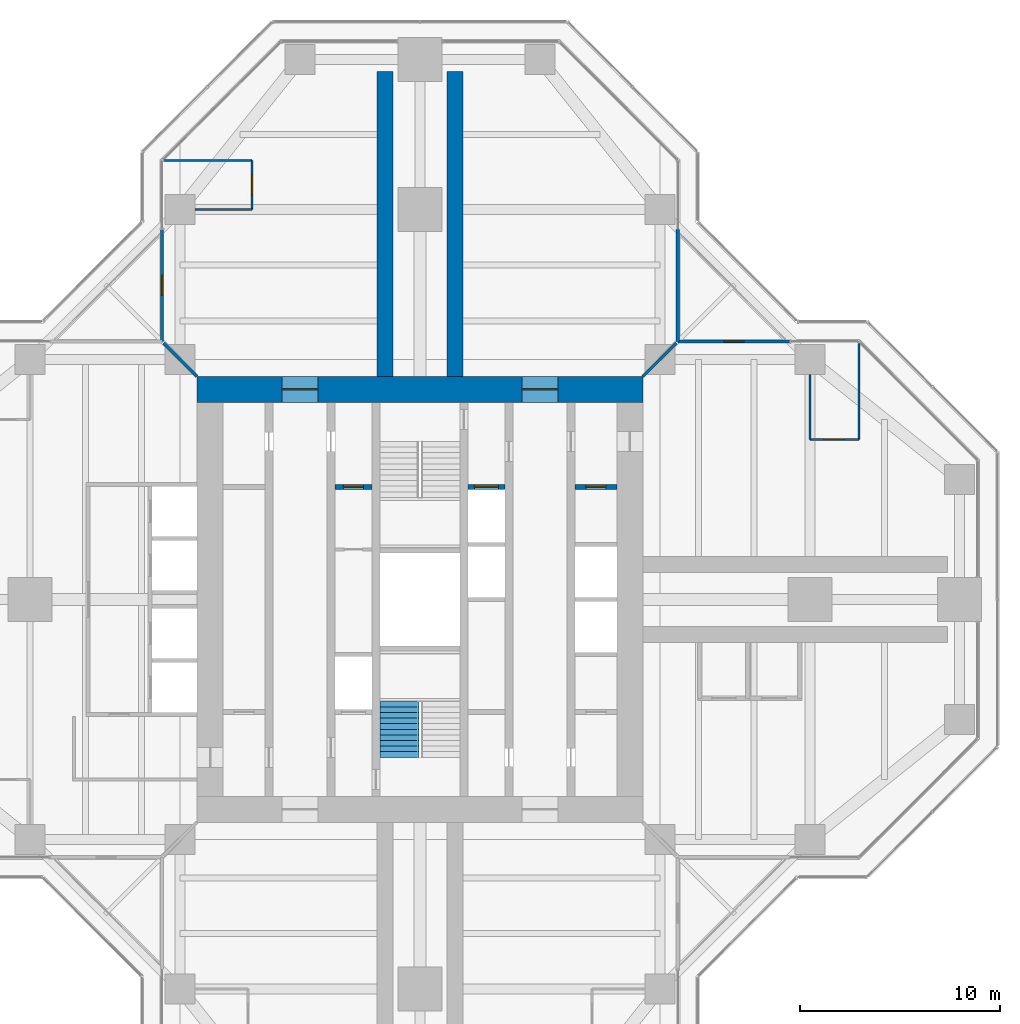
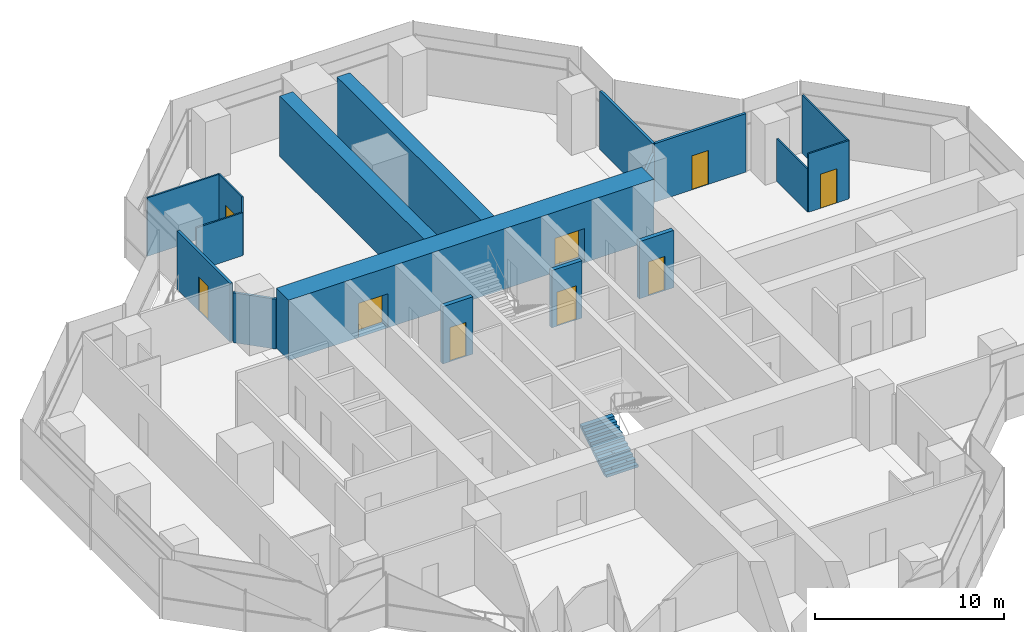
# One storey, part 15 of 17: 17 walls, 9 doors, 1 stair flight, 9 openings, 1 element without a shape of its own.
"""IFC4 building model written with IfcOpenShell, lengths in metres."""

from ifc_helpers import new_model, si_unit, direction, frame, frame_2d, origin, place, context, subcontext, project, spatial, polyline, rectangle, outline, extrude, material, layer, layer_set, type_object, element, fill, aggregate, save


model = new_model("IFC4")

# Units and contexts
model_context = context("Model", 3, precision=1e-05, world=origin(), true_north=direction((0.0, 1.0)))
body_context = subcontext(model_context, "Body", "Model", "MODEL_VIEW")
ifc_project = project(units=[si_unit("LENGTHUNIT", "METRE"), si_unit("AREAUNIT", "SQUARE_METRE"), si_unit("VOLUMEUNIT", "CUBIC_METRE"), si_unit("PLANEANGLEUNIT", "RADIAN"), si_unit("MASSUNIT", "GRAM", prefix="KILO")], contexts=[model_context])

# Site, building, storey
site_placement = place(None, origin())
site = spatial("IfcSite", under=ifc_project, at=site_placement, CompositionType="ELEMENT")
building_placement = place(site_placement, origin())
building = spatial("IfcBuilding", under=site, at=building_placement, Name="Mizan Broadcast Tower", CompositionType="ELEMENT")
storey_placement = place(building_placement, frame((0.0, 0.0, 247.800048828125)))
storey = spatial("IfcBuildingStorey", under=building, at=storey_placement, Name="L58", CompositionType="ELEMENT", Elevation=247.800048828125)

# Wall, openings, doors
ifc_material_1 = material(Name="Concrete C70/85", Category="concrete")
ifc_layer_1 = layer(ifc_material_1, 1.300048828125)
ifc_layer_set_1 = layer_set([ifc_layer_1], Name="Concrete C70/85")
wall_type_1 = type_object("IfcWallType", Name="CORE WALL 1300", PredefinedType="SHEAR", material=ifc_layer_set_1)
wall_1_placement = place(storey_placement, frame((-11.14990234375, 10.5, 0.0), z_axis=(0.0, 0.0, 1.0), x_axis=(1.0, 0.0, 0.0)))
wall_1 = element("IfcWall", 1, at=wall_1_placement, inside=storey, type_object=wall_type_1, Name="Core wall N L58", PredefinedType="SHEAR", context=body_context, shape_type="SweptSolid", body=[
    extrude(rectangle(XDim=22.2998046875, YDim=1.300048828125, at=frame_2d((11.14990234375, 0.0))), origin(), (0.0, 0.0, 1.0), 3.89990234375),
])
opening_1_placement = place(wall_1_placement, frame((4.25, 0.0, 0.0)))
opening_1 = element("IfcOpeningElement", 2, at=opening_1_placement, cuts=wall_1, Name="Opening D18F", PredefinedType="OPENING", context=body_context, shape_type="SweptSolid", body=[
    extrude(rectangle(XDim=1.800048828125, YDim=2.199951171875, at=frame_2d((0.89990234375, 1.10009765625))), frame((0.0, 0.659912109375, 0.0), z_axis=(0.0, -1.0, 0.0), x_axis=(1.0, 0.0, 0.0)), (0.0, 0.0, 1.0), 1.320068359375),
])
opening_2_placement = place(wall_1_placement, frame((16.25, 0.0, 0.0)))
opening_2 = element("IfcOpeningElement", 3, at=opening_2_placement, cuts=wall_1, Name="Opening D18F", PredefinedType="OPENING", context=body_context, shape_type="SweptSolid", body=[
    extrude(rectangle(XDim=1.800048828125, YDim=2.199951171875, at=frame_2d((0.89990234375, 1.10009765625))), frame((0.0, 0.659912109375, 0.0), z_axis=(0.0, -1.0, 0.0), x_axis=(1.0, 0.0, 0.0)), (0.0, 0.0, 1.0), 1.320068359375),
])
ifc_material_2 = material(Name="Steel door leaf in steel frame", Category="steel")
door_type_1 = type_object("IfcDoorType", Name="LOBBY DOUBLE DOOR 1800 FD90", OperationType="DOUBLE_DOOR_DOUBLE_SWING", PredefinedType="DOOR", material=ifc_material_2)
door_1_placement = place(opening_1_placement, origin())
door_1 = element("IfcDoor", 4, at=door_1_placement, inside=storey, type_object=door_type_1, Name="West lift lobby north door", OperationType="DOUBLE_DOOR_DOUBLE_SWING", OverallHeight=2.199951171875, OverallWidth=1.800048828125, PredefinedType="DOOR", context=body_context, shape_type="SweptSolid", body=[
    extrude(rectangle(XDim=1.800048828125, YDim=2.199951171875, at=frame_2d((0.89990234375, 1.10009765625))), frame((0.0, 0.02490234375, 0.0), z_axis=(0.0, -1.0, 0.0), x_axis=(1.0, 0.0, 0.0)), (0.0, 0.0, 1.0), 0.050048828125),
])
fill(opening_1, door_1)
door_2_placement = place(opening_2_placement, origin())
door_2 = element("IfcDoor", 5, at=door_2_placement, inside=storey, type_object=door_type_1, Name="East lift lobby north door", OperationType="DOUBLE_DOOR_DOUBLE_SWING", OverallHeight=2.199951171875, OverallWidth=1.800048828125, PredefinedType="DOOR", context=body_context, shape_type="SweptSolid", body=[
    extrude(rectangle(XDim=1.800048828125, YDim=2.199951171875, at=frame_2d((0.89990234375, 1.10009765625))), frame((0.0, 0.02490234375, 0.0), z_axis=(0.0, -1.0, 0.0), x_axis=(1.0, 0.0, 0.0)), (0.0, 0.0, 1.0), 0.050048828125),
])
fill(opening_2, door_2)

# Wall, opening, door
ifc_material_3 = material(Name="Aluminium framed glazed screen", Category="aluminium")
ifc_layer_2 = layer(ifc_material_3, 0.159912109375)
ifc_layer_set_2 = layer_set([ifc_layer_2], Name="Aluminium framed glazed screen")
wall_type_2 = type_object("IfcWallType", Name="GLAZED SCREEN WALL 160", PredefinedType="SOLIDWALL", material=ifc_layer_set_2)
wall_2_placement = place(storey_placement, frame((18.5, 12.89990234375, 0.0), z_axis=(0.0, 0.0, 1.0), x_axis=(-1.0, 0.0, 0.0)))
wall_2 = element("IfcWall", 6, at=wall_2_placement, inside=storey, type_object=wall_type_2, Name="Winter garden screen L58 E", PredefinedType="SOLIDWALL", context=body_context, shape_type="SweptSolid", body=[
    extrude(rectangle(XDim=5.60009765625, YDim=0.159912109375, at=frame_2d((2.800048828125, 0.0))), origin(), (0.0, 0.0, 1.0), 3.77001953125),
])
opening_3_placement = place(wall_2_placement, frame((2.300048828125, 0.0, 0.0)))
opening_3 = element("IfcOpeningElement", 7, at=opening_3_placement, cuts=wall_2, Name="Opening WGD", PredefinedType="OPENING", context=body_context, shape_type="SweptSolid", body=[
    extrude(rectangle(XDim=1.0, YDim=2.199951171875, at=frame_2d((0.5, 1.10009765625))), frame((0.0, 0.08984375, 0.0), z_axis=(0.0, -1.0, 0.0), x_axis=(1.0, 0.0, 0.0)), (0.0, 0.0, 1.0), 0.179931640625),
])
ifc_material_4 = material(Name="Aluminium framed glazed door", Category="aluminium")
door_type_2 = type_object("IfcDoorType", Name="WINTER GARDEN DOOR 1000 GLAZED", OperationType="SINGLE_SWING_LEFT", PredefinedType="DOOR", material=ifc_material_4)
door_3_placement = place(opening_3_placement, origin())
door_3 = element("IfcDoor", 8, at=door_3_placement, inside=storey, type_object=door_type_2, Name="Winter garden door L58 E", OperationType="SINGLE_SWING_RIGHT", OverallHeight=2.199951171875, OverallWidth=1.0, PredefinedType="DOOR", context=body_context, shape_type="SweptSolid", body=[
    extrude(rectangle(XDim=1.0, YDim=2.199951171875, at=frame_2d((0.5, 1.10009765625))), frame((0.0, 0.02490234375, 0.0), z_axis=(0.0, -1.0, 0.0), x_axis=(1.0, 0.0, 0.0)), (0.0, 0.0, 1.0), 0.050048828125),
])
fill(opening_3, door_3)

# Wall
wall_3_placement = place(storey_placement, frame((12.89990234375, 12.89990234375, 0.0), z_axis=(0.0, 0.0, 1.0), x_axis=(0.0, 1.0, 0.0)))
element("IfcWall", 9, at=wall_3_placement, inside=storey, type_object=wall_type_2, Name="Winter garden screen L58 N", PredefinedType="SOLIDWALL", context=body_context, shape_type="SweptSolid", body=[
    extrude(rectangle(XDim=5.60009765625, YDim=0.159912109375, at=frame_2d((2.800048828125, 0.0))), origin(), (0.0, 0.0, 1.0), 3.77001953125),
])

# Wall, opening, door
wall_4_placement = place(storey_placement, frame((-12.89990234375, 18.5, 0.0), z_axis=(0.0, 0.0, 1.0), x_axis=(0.0, -1.0, 0.0)))
wall_4 = element("IfcWall", 10, at=wall_4_placement, inside=storey, type_object=wall_type_2, Name="Winter garden screen L58 N", PredefinedType="SOLIDWALL", context=body_context, shape_type="SweptSolid", body=[
    extrude(rectangle(XDim=5.60009765625, YDim=0.159912109375, at=frame_2d((2.800048828125, 0.0))), origin(), (0.0, 0.0, 1.0), 3.77001953125),
])
opening_4_placement = place(wall_4_placement, frame((2.300048828125, 0.0, 0.0)))
opening_4 = element("IfcOpeningElement", 11, at=opening_4_placement, cuts=wall_4, Name="Opening WGD", PredefinedType="OPENING", context=body_context, shape_type="SweptSolid", body=[
    extrude(rectangle(XDim=1.0, YDim=2.199951171875, at=frame_2d((0.5, 1.10009765625))), frame((0.0, 0.08984375, 0.0), z_axis=(0.0, -1.0, 0.0), x_axis=(1.0, 0.0, 0.0)), (0.0, 0.0, 1.0), 0.179931640625),
])
door_4_placement = place(opening_4_placement, origin())
door_4 = element("IfcDoor", 12, at=door_4_placement, inside=storey, type_object=door_type_2, Name="Winter garden door L58 N", OperationType="SINGLE_SWING_RIGHT", OverallHeight=2.199951171875, OverallWidth=1.0, PredefinedType="DOOR", context=body_context, shape_type="SweptSolid", body=[
    extrude(rectangle(XDim=1.0, YDim=2.199951171875, at=frame_2d((0.5, 1.10009765625))), frame((0.0, 0.02490234375, 0.0), z_axis=(0.0, -1.0, 0.0), x_axis=(1.0, 0.0, 0.0)), (0.0, 0.0, 1.0), 0.050048828125),
])
fill(opening_4, door_4)

ifc_material_5 = material(Name="Concrete blockwork", Category="masonry")
ifc_layer_3 = layer(ifc_material_5, 0.25)
ifc_layer_set_3 = layer_set([ifc_layer_3], Name="Concrete blockwork")
wall_type_3 = type_object("IfcWallType", Name="LOBBY ENCLOSURE WALL 250", PredefinedType="SOLIDWALL", material=ifc_layer_set_3)
wall_5_placement = place(storey_placement, frame((-4.25, 5.625, 0.0), z_axis=(0.0, 0.0, 1.0), x_axis=(1.0, 0.0, 0.0)))
wall_5 = element("IfcWall", 13, at=wall_5_placement, inside=storey, type_object=wall_type_3, Name="Lobby enclosure wall CORE/BW2N", PredefinedType="SOLIDWALL", context=body_context, shape_type="SweptSolid", body=[
    extrude(rectangle(XDim=1.85009765625, YDim=0.25, at=frame_2d((0.925048828125, 0.0))), origin(), (0.0, 0.0, 1.0), 3.699951171875),
])
opening_5_placement = place(wall_5_placement, frame((0.425048828125, 0.0, 0.0)))
opening_5 = element("IfcOpeningElement", 14, at=opening_5_placement, cuts=wall_5, Name="Opening D10F", PredefinedType="OPENING", context=body_context, shape_type="SweptSolid", body=[
    extrude(rectangle(XDim=1.0, YDim=2.199951171875, at=frame_2d((0.5, 1.10009765625))), frame((0.0, 0.135009765625, 0.0), z_axis=(0.0, -1.0, 0.0), x_axis=(1.0, 0.0, 0.0)), (0.0, 0.0, 1.0), 0.27001953125),
])
ifc_material_6 = material(Name="Steel door leaf in steel frame", Category="steel")
door_type_3 = type_object("IfcDoorType", Name="FIRE DOOR 1000 FD90", OperationType="SINGLE_SWING_LEFT", PredefinedType="DOOR", material=ifc_material_6)
door_5_placement = place(opening_5_placement, origin())
door_5 = element("IfcDoor", 15, at=door_5_placement, inside=storey, type_object=door_type_3, Name="Accessible changing room door", OperationType="SINGLE_SWING_RIGHT", OverallHeight=2.199951171875, OverallWidth=1.0, PredefinedType="DOOR", context=body_context, shape_type="SweptSolid", body=[
    extrude(rectangle(XDim=1.0, YDim=2.199951171875, at=frame_2d((0.5, 1.10009765625))), frame((0.0, 0.02490234375, 0.0), z_axis=(0.0, -1.0, 0.0), x_axis=(1.0, 0.0, 0.0)), (0.0, 0.0, 1.0), 0.050048828125),
])
fill(opening_5, door_5)

wall_6_placement = place(storey_placement, frame((2.39990234375, 5.625, 0.0), z_axis=(0.0, 0.0, 1.0), x_axis=(1.0, 0.0, 0.0)))
wall_6 = element("IfcWall", 16, at=wall_6_placement, inside=storey, type_object=wall_type_3, Name="Lobby enclosure wall CORE/BE2N", PredefinedType="SOLIDWALL", context=body_context, shape_type="SweptSolid", body=[
    extrude(rectangle(XDim=1.85009765625, YDim=0.25, at=frame_2d((0.925048828125, 0.0))), origin(), (0.0, 0.0, 1.0), 3.699951171875),
])
opening_6_placement = place(wall_6_placement, frame((0.324951171875, 0.0, 0.0)))
opening_6 = element("IfcOpeningElement", 17, at=opening_6_placement, cuts=wall_6, Name="Opening LDF", PredefinedType="OPENING", context=body_context, shape_type="SweptSolid", body=[
    extrude(rectangle(XDim=1.199951171875, YDim=2.199951171875, at=frame_2d((0.60009765625, 1.10009765625))), frame((0.0, 0.135009765625, 0.0), z_axis=(0.0, -1.0, 0.0), x_axis=(1.0, 0.0, 0.0)), (0.0, 0.0, 1.0), 0.27001953125),
])
ifc_material_7 = material(Name="Steel door leaf in steel frame", Category="steel")
door_type_4 = type_object("IfcDoorType", Name="FIREFIGHTING LIFT LANDING DOOR 1200", OperationType="SLIDING_TO_LEFT", PredefinedType="DOOR", material=ifc_material_7)
door_6_placement = place(opening_6_placement, origin())
door_6 = element("IfcDoor", 18, at=door_6_placement, inside=storey, type_object=door_type_4, Name="Landing door FF2", OperationType="SLIDING_TO_LEFT", OverallHeight=2.199951171875, OverallWidth=1.199951171875, PredefinedType="DOOR", context=body_context, shape_type="SweptSolid", body=[
    extrude(rectangle(XDim=1.199951171875, YDim=2.199951171875, at=frame_2d((0.60009765625, 1.10009765625))), frame((0.0, 0.02490234375, 0.0), z_axis=(0.0, -1.0, 0.0), x_axis=(1.0, 0.0, 0.0)), (0.0, 0.0, 1.0), 0.050048828125),
])
fill(opening_6, door_6)

wall_7_placement = place(storey_placement, frame((7.75, 5.625, 0.0), z_axis=(0.0, 0.0, 1.0), x_axis=(1.0, 0.0, 0.0)))
wall_7 = element("IfcWall", 19, at=wall_7_placement, inside=storey, type_object=wall_type_3, Name="Lobby enclosure wall CORE/BE1N", PredefinedType="SOLIDWALL", context=body_context, shape_type="SweptSolid", body=[
    extrude(rectangle(XDim=2.10009765625, YDim=0.25, at=frame_2d((1.050048828125, 0.0))), origin(), (0.0, 0.0, 1.0), 3.699951171875),
])
opening_7_placement = place(wall_7_placement, frame((0.550048828125, 0.0, 0.0)))
opening_7 = element("IfcOpeningElement", 20, at=opening_7_placement, cuts=wall_7, Name="Opening D10F", PredefinedType="OPENING", context=body_context, shape_type="SweptSolid", body=[
    extrude(rectangle(XDim=1.0, YDim=2.199951171875, at=frame_2d((0.5, 1.10009765625))), frame((0.0, 0.135009765625, 0.0), z_axis=(0.0, -1.0, 0.0), x_axis=(1.0, 0.0, 0.0)), (0.0, 0.0, 1.0), 0.27001953125),
])
door_7_placement = place(opening_7_placement, origin())
door_7 = element("IfcDoor", 21, at=door_7_placement, inside=storey, type_object=door_type_3, Name="Comms room door", OperationType="SINGLE_SWING_LEFT", OverallHeight=2.199951171875, OverallWidth=1.0, PredefinedType="DOOR", context=body_context, shape_type="SweptSolid", body=[
    extrude(rectangle(XDim=1.0, YDim=2.199951171875, at=frame_2d((0.5, 1.10009765625))), frame((0.0, 0.02490234375, 0.0), z_axis=(0.0, -1.0, 0.0), x_axis=(1.0, 0.0, 0.0)), (0.0, 0.0, 1.0), 0.050048828125),
])
fill(opening_7, door_7)

# Walls
ifc_material_8 = material(Name="Gypsum board on steel studs", Category="steel")
ifc_layer_4 = layer(ifc_material_8, 0.14990234375)
ifc_layer_set_4 = layer_set([ifc_layer_4], Name="Gypsum board on steel studs")
wall_type_4 = type_object("IfcWallType", Name="PARTITION 150", PredefinedType="PARTITIONING", material=ifc_layer_set_4)
for number, where, z_axis, x_axis, name in (
    (22, (11.14990234375, 11.14990234375, 0.0), (0.0, 0.0, 1.0), (0.707106781187, 0.707106781187, 0.0), "Partition PT/DGEN"),
    (23, (-11.14990234375, 11.14990234375, 0.0), (0.0, 0.0, 1.0), (-0.707106781187, 0.707106781187, 0.0), "Partition PT/DGWN"),
):
    element("IfcWall", number, at=place(storey_placement, frame(where, z_axis=z_axis, x_axis=x_axis)), inside=storey, type_object=wall_type_4, Name=name, PredefinedType="PARTITIONING", context=body_context, shape_type="SweptSolid", body=[
        extrude(rectangle(XDim=2.362060546875, YDim=0.14990234375, at=frame_2d((1.18115234375, 0.0))), origin(), (0.0, 0.0, 1.0), 3.219970703125),
    ])

# Wall, opening, door
ifc_material_9 = material(Name="Glazed aluminium partition on aluminium track", Category="aluminium")
ifc_layer_5 = layer(ifc_material_9, 0.10009765625)
ifc_layer_set_5 = layer_set([ifc_layer_5], Name="Glazed aluminium partition on aluminium track")
wall_type_5 = type_object("IfcWallType", Name="PARTITION GLAZED OFFICE FRONT 100", PredefinedType="PARTITIONING", material=ifc_layer_set_5)
wall_8_placement = place(storey_placement, frame((19.5, 8.0, 0.0), z_axis=(0.0, 0.0, 1.0), x_axis=(1.0, 0.0, 0.0)))
wall_8 = element("IfcWall", 24, at=wall_8_placement, inside=storey, type_object=wall_type_5, Name="Glazed office front PT/ECP0", PredefinedType="PARTITIONING", context=body_context, shape_type="SweptSolid", body=[
    extrude(rectangle(XDim=2.458984375, YDim=0.10009765625, at=frame_2d((1.2294921875, 0.0))), origin(), (0.0, 0.0, 1.0), 3.77001953125),
])
opening_8_placement = place(wall_8_placement, frame((0.7294921875, 0.0, 0.0)))
opening_8 = element("IfcOpeningElement", 25, at=opening_8_placement, cuts=wall_8, Name="Opening D10O", PredefinedType="OPENING", context=body_context, shape_type="SweptSolid", body=[
    extrude(rectangle(XDim=1.0, YDim=2.199951171875, at=frame_2d((0.5, 1.10009765625))), frame((0.0, 0.06005859375, 0.0), z_axis=(0.0, -1.0, 0.0), x_axis=(1.0, 0.0, 0.0)), (0.0, 0.0, 1.0), 0.1201171875),
])
ifc_material_10 = material(Name="Timber door leaf in aluminium frame", Category="wood")
door_type_5 = type_object("IfcDoorType", Name="OFFICE DOOR 1000 GLAZED", OperationType="SINGLE_SWING_LEFT", PredefinedType="DOOR", material=ifc_material_10)
door_8_placement = place(opening_8_placement, origin())
door_8 = element("IfcDoor", 26, at=door_8_placement, inside=storey, type_object=door_type_5, Name="Correspondent's office door", OperationType="SINGLE_SWING_LEFT", OverallHeight=2.199951171875, OverallWidth=1.0, PredefinedType="DOOR", context=body_context, shape_type="SweptSolid", body=[
    extrude(rectangle(XDim=1.0, YDim=2.199951171875, at=frame_2d((0.5, 1.10009765625))), frame((0.0, 0.02490234375, 0.0), z_axis=(0.0, -1.0, 0.0), x_axis=(1.0, 0.0, 0.0)), (0.0, 0.0, 1.0), 0.050048828125),
])
fill(opening_8, door_8)

# Walls
wall_9_placement = place(storey_placement, frame((19.5, 8.0, 0.0), z_axis=(0.0, 0.0, 1.0), x_axis=(0.0, 1.0, 0.0)))
element("IfcWall", 27, at=wall_9_placement, inside=storey, type_object=wall_type_5, Name="Glazed office front PT/EQP1950", PredefinedType="PARTITIONING", context=body_context, shape_type="SweptSolid", body=[
    extrude(rectangle(XDim=3.25, YDim=0.10009765625, at=frame_2d((1.625, 0.0))), origin(), (0.0, 0.0, 1.0), 2.77001953125),
])
wall_10_placement = place(storey_placement, frame((21.958984375, 8.0, 0.0), z_axis=(0.0, 0.0, 1.0), x_axis=(0.0, 1.0, 0.0)))
element("IfcWall", 28, at=wall_10_placement, inside=storey, type_object=wall_type_5, Name="Glazed office front PT/EQP2196", PredefinedType="PARTITIONING", context=body_context, shape_type="SweptSolid", body=[
    extrude(rectangle(XDim=4.820068359375, YDim=0.10009765625, at=frame_2d((2.41015625, 0.0))), origin(), (0.0, 0.0, 1.0), 3.77001953125),
])

# Wall, opening, door
wall_11_placement = place(storey_placement, frame((-8.39990234375, 19.5, 0.0), z_axis=(0.0, 0.0, 1.0), x_axis=(0.0, 1.0, 0.0)))
wall_11 = element("IfcWall", 29, at=wall_11_placement, inside=storey, type_object=wall_type_5, Name="Glazed office front PT/NCP0", PredefinedType="PARTITIONING", context=body_context, shape_type="SweptSolid", body=[
    extrude(rectangle(XDim=2.458984375, YDim=0.10009765625, at=frame_2d((1.2294921875, 0.0))), origin(), (0.0, 0.0, 1.0), 3.77001953125),
])
opening_9_placement = place(wall_11_placement, frame((0.7294921875, 0.0, 0.0)))
opening_9 = element("IfcOpeningElement", 30, at=opening_9_placement, cuts=wall_11, Name="Opening D10O", PredefinedType="OPENING", context=body_context, shape_type="SweptSolid", body=[
    extrude(rectangle(XDim=1.0, YDim=2.199951171875, at=frame_2d((0.5, 1.10009765625))), frame((0.0, 0.06005859375, 0.0), z_axis=(0.0, -1.0, 0.0), x_axis=(1.0, 0.0, 0.0)), (0.0, 0.0, 1.0), 0.1201171875),
])
door_9_placement = place(opening_9_placement, origin())
door_9 = element("IfcDoor", 31, at=door_9_placement, inside=storey, type_object=door_type_5, Name="Bureau chief's office door", OperationType="SINGLE_SWING_LEFT", OverallHeight=2.199951171875, OverallWidth=1.0, PredefinedType="DOOR", context=body_context, shape_type="SweptSolid", body=[
    extrude(rectangle(XDim=1.0, YDim=2.199951171875, at=frame_2d((0.5, 1.10009765625))), frame((0.0, 0.02490234375, 0.0), z_axis=(0.0, -1.0, 0.0), x_axis=(1.0, 0.0, 0.0)), (0.0, 0.0, 1.0), 0.050048828125),
])
fill(opening_9, door_9)

# Walls
wall_12_placement = place(storey_placement, frame((-8.39990234375, 19.5, 0.0), z_axis=(0.0, 0.0, 1.0), x_axis=(-1.0, 0.0, 0.0)))
element("IfcWall", 32, at=wall_12_placement, inside=storey, type_object=wall_type_5, Name="Glazed office front PT/NQP1950", PredefinedType="PARTITIONING", context=body_context, shape_type="SweptSolid", body=[
    extrude(rectangle(XDim=2.85009765625, YDim=0.10009765625, at=frame_2d((1.425048828125, 0.0))), origin(), (0.0, 0.0, 1.0), 2.77001953125),
])
wall_13_placement = place(storey_placement, frame((-8.39990234375, 21.958984375, 0.0), z_axis=(0.0, 0.0, 1.0), x_axis=(-1.0, 0.0, 0.0)))
element("IfcWall", 33, at=wall_13_placement, inside=storey, type_object=wall_type_5, Name="Glazed office front PT/NQP2196", PredefinedType="PARTITIONING", context=body_context, shape_type="SweptSolid", body=[
    extrude(rectangle(XDim=4.420166015625, YDim=0.10009765625, at=frame_2d((2.2099609375, 0.0))), origin(), (0.0, 0.0, 1.0), 3.77001953125),
])
ifc_material_11 = material(Name="Concrete C70/85", Category="concrete")
ifc_layer_6 = layer(ifc_material_11, 0.800048828125)
ifc_layer_set_6 = layer_set([ifc_layer_6], Name="Concrete C70/85")
wall_type_6 = type_object("IfcWallType", Name="SPINE WALL 800", PredefinedType="SHEAR", material=ifc_layer_set_6)
for number, where, z_axis, x_axis, name in (
    (34, (1.75, 11.14990234375, 0.0), (0.0, 0.0, 1.0), (0.0, 1.0, 0.0), "Spine wall NR L58"),
    (35, (-1.75, 11.14990234375, 0.0), (0.0, 0.0, 1.0), (0.0, 1.0, 0.0), "Spine wall NL L58"),
):
    element("IfcWall", number, at=place(storey_placement, frame(where, z_axis=z_axis, x_axis=x_axis)), inside=storey, type_object=wall_type_6, Name=name, PredefinedType="SHEAR", context=body_context, shape_type="SweptSolid", body=[
        extrude(rectangle(XDim=15.25, YDim=0.800048828125, at=frame_2d((7.625, 0.0))), origin(), (0.0, 0.0, 1.0), 3.89990234375),
    ])

# Stair, stair flight
ifc_material_12 = material(Name="Concrete C40/50", Category="concrete")
stair_type = type_object("IfcStairType", Name="EXIT STAIR", PredefinedType="HALF_TURN_STAIR", material=ifc_material_12)
stair_placement = place(storey_placement, origin())
stair = element("IfcStair", 36, at=stair_placement, inside=storey, type_object=stair_type, Name="Stair A L58", PredefinedType="HALF_TURN_STAIR")
ifc_material_13 = material(Name="Concrete C40/50", Category="concrete")
stair_flight_type = type_object("IfcStairFlightType", Name="EXIT STAIR FLIGHT", PredefinedType="STRAIGHT", material=ifc_material_13)
stair_flight_placement = place(storey_placement, frame((-1.02490234375, -7.89990234375, 0.0), z_axis=(0.0, 0.0, 1.0), x_axis=(0.0, 1.0, 0.0)))
stair_flight = element("IfcStairFlight", 37, at=stair_flight_placement, type_object=stair_flight_type, Name="A flight 1", NumberOfRisers=11, NumberOfTreads=10, PredefinedType="STRAIGHT", RiserHeight=0.177272727, TreadLength=0.28, context=body_context, shape_type="SweptSolid", body=[
    extrude(outline(polyline([(0.0, 0.0), (0.0, 0.17724609375), (0.280029296875, 0.17724609375), (0.280029296875, 0.3544921875), (0.56005859375, 0.3544921875), (0.56005859375, 0.53173828125), (0.840087890625, 0.53173828125), (0.840087890625, 0.708984375), (1.1201171875, 0.708984375), (1.1201171875, 0.886474609375), (1.39990234375, 0.886474609375), (1.39990234375, 1.063720703125), (1.679931640625, 1.063720703125), (1.679931640625, 1.240966796875), (1.9599609375, 1.240966796875), (1.9599609375, 1.418212890625), (2.239990234375, 1.418212890625), (2.239990234375, 1.595458984375), (2.52001953125, 1.595458984375), (2.52001953125, 1.772705078125), (2.800048828125, 1.772705078125), (2.800048828125, 1.949951171875), (2.800048828125, 1.59521484375), (0.2802734375, 0.0), (0.0, 0.0)])), frame((0.0, 0.97509765625, 0.0), z_axis=(0.0, -1.0, 0.0), x_axis=(1.0, 0.0, 0.0)), (0.0, 0.0, 1.0), 0.4873046875),
    extrude(outline(polyline([(0.0, 0.0), (0.0, 0.17724609375), (0.280029296875, 0.17724609375), (0.280029296875, 0.3544921875), (0.56005859375, 0.3544921875), (0.56005859375, 0.53173828125), (0.840087890625, 0.53173828125), (0.840087890625, 0.708984375), (1.1201171875, 0.708984375), (1.1201171875, 0.886474609375), (1.39990234375, 0.886474609375), (1.39990234375, 1.063720703125), (1.679931640625, 1.063720703125), (1.679931640625, 1.240966796875), (1.9599609375, 1.240966796875), (1.9599609375, 1.418212890625), (2.239990234375, 1.418212890625), (2.239990234375, 1.595458984375), (2.52001953125, 1.595458984375), (2.52001953125, 1.772705078125), (2.800048828125, 1.772705078125), (2.800048828125, 1.949951171875), (2.800048828125, 1.59521484375), (0.2802734375, 0.0), (0.0, 0.0)])), frame((0.0, 0.4873046875, 0.0), z_axis=(0.0, -1.0, 0.0), x_axis=(1.0, 0.0, 0.0)), (0.0, 0.0, 1.0), 0.2431640625),
    extrude(outline(polyline([(0.0, 0.0), (0.0, 0.17724609375), (0.280029296875, 0.17724609375), (0.280029296875, 0.3544921875), (0.56005859375, 0.3544921875), (0.56005859375, 0.53173828125), (0.840087890625, 0.53173828125), (0.840087890625, 0.708984375), (1.1201171875, 0.708984375), (1.1201171875, 0.886474609375), (1.39990234375, 0.886474609375), (1.39990234375, 1.063720703125), (1.679931640625, 1.063720703125), (1.679931640625, 1.240966796875), (1.9599609375, 1.240966796875), (1.9599609375, 1.418212890625), (2.239990234375, 1.418212890625), (2.239990234375, 1.595458984375), (2.52001953125, 1.595458984375), (2.52001953125, 1.772705078125), (2.800048828125, 1.772705078125), (2.800048828125, 1.949951171875), (2.800048828125, 1.59521484375), (0.2802734375, 0.0), (0.0, 0.0)])), frame((0.0, 0.24365234375, 0.0), z_axis=(0.0, -1.0, 0.0), x_axis=(1.0, 0.0, 0.0)), (0.0, 0.0, 1.0), 0.121337890625),
    extrude(outline(polyline([(0.0, 0.0), (0.0, 0.17724609375), (0.280029296875, 0.17724609375), (0.280029296875, 0.3544921875), (0.56005859375, 0.3544921875), (0.56005859375, 0.53173828125), (0.840087890625, 0.53173828125), (0.840087890625, 0.708984375), (1.1201171875, 0.708984375), (1.1201171875, 0.886474609375), (1.39990234375, 0.886474609375), (1.39990234375, 1.063720703125), (1.679931640625, 1.063720703125), (1.679931640625, 1.240966796875), (1.9599609375, 1.240966796875), (1.9599609375, 1.418212890625), (2.239990234375, 1.418212890625), (2.239990234375, 1.595458984375), (2.52001953125, 1.595458984375), (2.52001953125, 1.772705078125), (2.800048828125, 1.772705078125), (2.800048828125, 1.949951171875), (2.800048828125, 1.59521484375), (0.2802734375, 0.0), (0.0, 0.0)])), frame((0.0, 0.121826171875, 0.0), z_axis=(0.0, -1.0, 0.0), x_axis=(1.0, 0.0, 0.0)), (0.0, 0.0, 1.0), 0.060546875),
    extrude(outline(polyline([(0.0, 0.0), (0.0, 0.17724609375), (0.280029296875, 0.17724609375), (0.280029296875, 0.3544921875), (0.56005859375, 0.3544921875), (0.56005859375, 0.53173828125), (0.840087890625, 0.53173828125), (0.840087890625, 0.708984375), (1.1201171875, 0.708984375), (1.1201171875, 0.886474609375), (1.39990234375, 0.886474609375), (1.39990234375, 1.063720703125), (1.679931640625, 1.063720703125), (1.679931640625, 1.240966796875), (1.9599609375, 1.240966796875), (1.9599609375, 1.418212890625), (2.239990234375, 1.418212890625), (2.239990234375, 1.595458984375), (2.52001953125, 1.595458984375), (2.52001953125, 1.772705078125), (2.800048828125, 1.772705078125), (2.800048828125, 1.949951171875), (2.800048828125, 1.59521484375), (0.2802734375, 0.0), (0.0, 0.0)])), frame((0.0, 0.060791015625, 0.0), z_axis=(0.0, -1.0, 0.0), x_axis=(1.0, 0.0, 0.0)), (0.0, 0.0, 1.0), 0.030029296875),
    extrude(outline(polyline([(0.0, 0.0), (0.0, 0.17724609375), (0.280029296875, 0.17724609375), (0.280029296875, 0.3544921875), (0.56005859375, 0.3544921875), (0.56005859375, 0.53173828125), (0.840087890625, 0.53173828125), (0.840087890625, 0.708984375), (1.1201171875, 0.708984375), (1.1201171875, 0.886474609375), (1.39990234375, 0.886474609375), (1.39990234375, 1.063720703125), (1.679931640625, 1.063720703125), (1.679931640625, 1.240966796875), (1.9599609375, 1.240966796875), (1.9599609375, 1.418212890625), (2.239990234375, 1.418212890625), (2.239990234375, 1.595458984375), (2.52001953125, 1.595458984375), (2.52001953125, 1.772705078125), (2.800048828125, 1.772705078125), (2.800048828125, 1.949951171875), (2.800048828125, 1.59521484375), (0.2802734375, 0.0), (0.0, 0.0)])), frame((0.0, 0.0302734375, 0.0), z_axis=(0.0, -1.0, 0.0), x_axis=(1.0, 0.0, 0.0)), (0.0, 0.0, 1.0), 0.060302734375),
    extrude(outline(polyline([(0.0, 0.0), (0.0, 0.17724609375), (0.280029296875, 0.17724609375), (0.280029296875, 0.3544921875), (0.56005859375, 0.3544921875), (0.56005859375, 0.53173828125), (0.840087890625, 0.53173828125), (0.840087890625, 0.708984375), (1.1201171875, 0.708984375), (1.1201171875, 0.886474609375), (1.39990234375, 0.886474609375), (1.39990234375, 1.063720703125), (1.679931640625, 1.063720703125), (1.679931640625, 1.240966796875), (1.9599609375, 1.240966796875), (1.9599609375, 1.418212890625), (2.239990234375, 1.418212890625), (2.239990234375, 1.595458984375), (2.52001953125, 1.595458984375), (2.52001953125, 1.772705078125), (2.800048828125, 1.772705078125), (2.800048828125, 1.949951171875), (2.800048828125, 1.59521484375), (0.2802734375, 0.0), (0.0, 0.0)])), frame((0.0, -0.030517578125, 0.0), z_axis=(0.0, -1.0, 0.0), x_axis=(1.0, 0.0, 0.0)), (0.0, 0.0, 1.0), 0.030029296875),
    extrude(outline(polyline([(0.0, 0.0), (0.0, 0.17724609375), (0.280029296875, 0.17724609375), (0.280029296875, 0.3544921875), (0.56005859375, 0.3544921875), (0.56005859375, 0.53173828125), (0.840087890625, 0.53173828125), (0.840087890625, 0.708984375), (1.1201171875, 0.708984375), (1.1201171875, 0.886474609375), (1.39990234375, 0.886474609375), (1.39990234375, 1.063720703125), (1.679931640625, 1.063720703125), (1.679931640625, 1.240966796875), (1.9599609375, 1.240966796875), (1.9599609375, 1.418212890625), (2.239990234375, 1.418212890625), (2.239990234375, 1.595458984375), (2.52001953125, 1.595458984375), (2.52001953125, 1.772705078125), (2.800048828125, 1.772705078125), (2.800048828125, 1.949951171875), (2.800048828125, 1.59521484375), (0.2802734375, 0.0), (0.0, 0.0)])), frame((0.0, -0.06103515625, 0.0), z_axis=(0.0, -1.0, 0.0), x_axis=(1.0, 0.0, 0.0)), (0.0, 0.0, 1.0), 0.060546875),
    extrude(outline(polyline([(0.0, 0.0), (0.0, 0.17724609375), (0.280029296875, 0.17724609375), (0.280029296875, 0.3544921875), (0.56005859375, 0.3544921875), (0.56005859375, 0.53173828125), (0.840087890625, 0.53173828125), (0.840087890625, 0.708984375), (1.1201171875, 0.708984375), (1.1201171875, 0.886474609375), (1.39990234375, 0.886474609375), (1.39990234375, 1.063720703125), (1.679931640625, 1.063720703125), (1.679931640625, 1.240966796875), (1.9599609375, 1.240966796875), (1.9599609375, 1.418212890625), (2.239990234375, 1.418212890625), (2.239990234375, 1.595458984375), (2.52001953125, 1.595458984375), (2.52001953125, 1.772705078125), (2.800048828125, 1.772705078125), (2.800048828125, 1.949951171875), (2.800048828125, 1.59521484375), (0.2802734375, 0.0), (0.0, 0.0)])), frame((0.0, -0.1220703125, 0.0), z_axis=(0.0, -1.0, 0.0), x_axis=(1.0, 0.0, 0.0)), (0.0, 0.0, 1.0), 0.121337890625),
    extrude(outline(polyline([(0.0, 0.0), (0.0, 0.17724609375), (0.280029296875, 0.17724609375), (0.280029296875, 0.3544921875), (0.56005859375, 0.3544921875), (0.56005859375, 0.53173828125), (0.840087890625, 0.53173828125), (0.840087890625, 0.708984375), (1.1201171875, 0.708984375), (1.1201171875, 0.886474609375), (1.39990234375, 0.886474609375), (1.39990234375, 1.063720703125), (1.679931640625, 1.063720703125), (1.679931640625, 1.240966796875), (1.9599609375, 1.240966796875), (1.9599609375, 1.418212890625), (2.239990234375, 1.418212890625), (2.239990234375, 1.595458984375), (2.52001953125, 1.595458984375), (2.52001953125, 1.772705078125), (2.800048828125, 1.772705078125), (2.800048828125, 1.949951171875), (2.800048828125, 1.59521484375), (0.2802734375, 0.0), (0.0, 0.0)])), frame((0.0, -0.243896484375, 0.0), z_axis=(0.0, -1.0, 0.0), x_axis=(1.0, 0.0, 0.0)), (0.0, 0.0, 1.0), 0.2431640625),
    extrude(outline(polyline([(0.0, 0.0), (0.0, 0.17724609375), (0.280029296875, 0.17724609375), (0.280029296875, 0.3544921875), (0.56005859375, 0.3544921875), (0.56005859375, 0.53173828125), (0.840087890625, 0.53173828125), (0.840087890625, 0.708984375), (1.1201171875, 0.708984375), (1.1201171875, 0.886474609375), (1.39990234375, 0.886474609375), (1.39990234375, 1.063720703125), (1.679931640625, 1.063720703125), (1.679931640625, 1.240966796875), (1.9599609375, 1.240966796875), (1.9599609375, 1.418212890625), (2.239990234375, 1.418212890625), (2.239990234375, 1.595458984375), (2.52001953125, 1.595458984375), (2.52001953125, 1.772705078125), (2.800048828125, 1.772705078125), (2.800048828125, 1.949951171875), (2.800048828125, 1.59521484375), (0.2802734375, 0.0), (0.0, 0.0)])), frame((0.0, -0.487548828125, 0.0), z_axis=(0.0, -1.0, 0.0), x_axis=(1.0, 0.0, 0.0)), (0.0, 0.0, 1.0), 0.4873046875),
])
aggregate(stair, [stair_flight])

save(model, "model.ifc")
